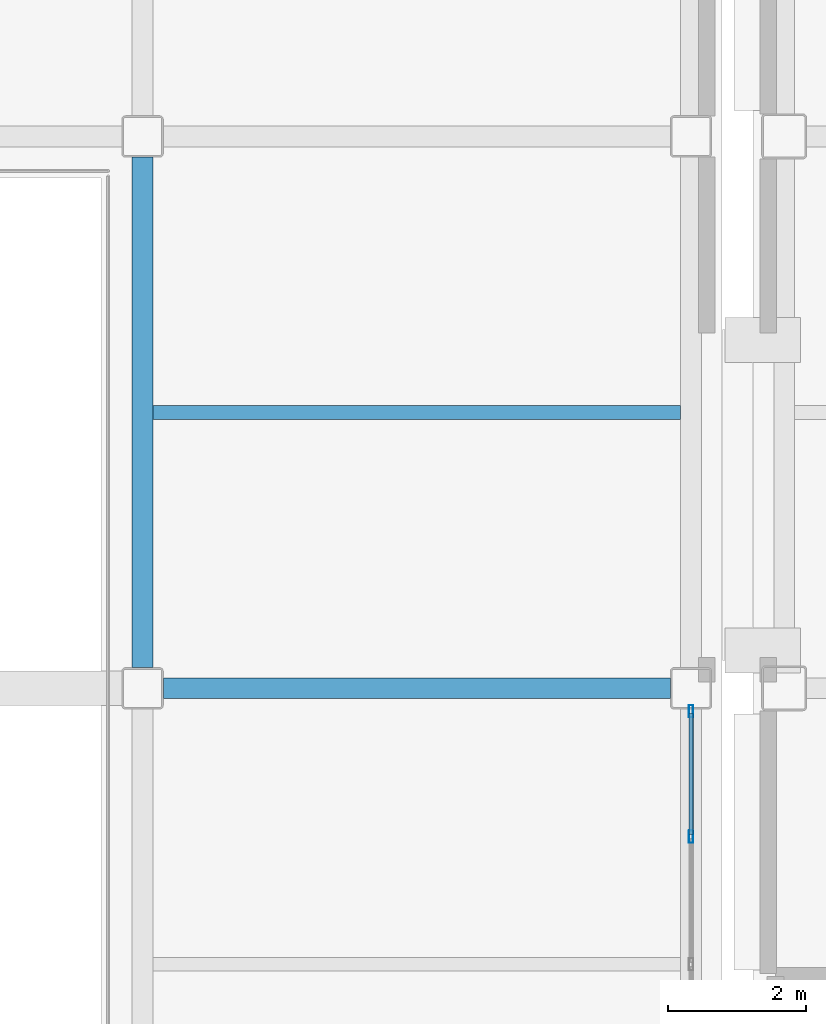
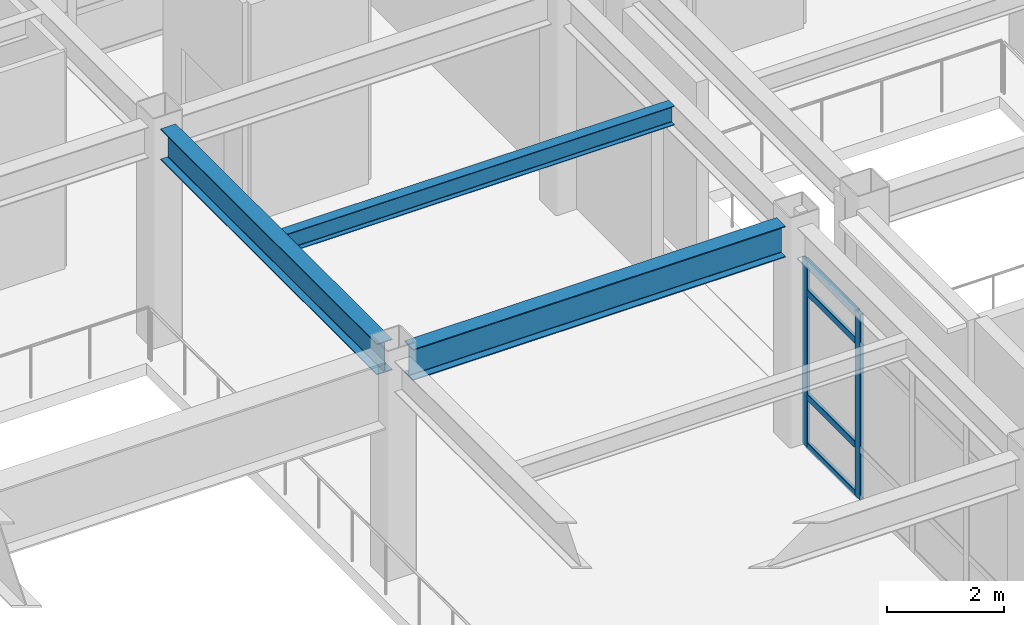
# One storey, part 21 of 172: 6 members, 3 beams, 1 element without a shape of its own.
"""IFC4 building model written with IfcOpenShell, lengths in metres."""

from ifc_helpers import new_model, si_unit, direction, frame, origin, origin_2d, place, context, subcontext, project, spatial, hollow_rectangle, i_section, extrude, material, layer, layer_set, material_profile, profile_set, type_object, element, aggregate, save


model = new_model("IFC4")

# Units and contexts
model_context = context("Model", 3, precision=1e-05, world=origin(), true_north=direction((0.0, 1.0)))
body_context = subcontext(model_context, "Body", "Model", "MODEL_VIEW")
ifc_project = project(units=[si_unit("LENGTHUNIT", "METRE"), si_unit("AREAUNIT", "SQUARE_METRE"), si_unit("VOLUMEUNIT", "CUBIC_METRE"), si_unit("PLANEANGLEUNIT", "RADIAN"), si_unit("MASSUNIT", "GRAM", prefix="KILO")], contexts=[model_context])

# Site, building, storey
site_placement = place(None, origin())
site = spatial("IfcSite", under=ifc_project, at=site_placement, CompositionType="ELEMENT")
building_placement = place(site_placement, origin())
building = spatial("IfcBuilding", under=site, at=building_placement, Name="Kazehara Bluff Congress Hotel", CompositionType="ELEMENT")
storey_placement = place(building_placement, frame((0.0, 0.0, 5.39990234375)))
storey = spatial("IfcBuildingStorey", under=building, at=storey_placement, Name="L01", CompositionType="ELEMENT", Elevation=5.39990234375)

# Curtain wall, members
ifc_material_1 = material(Name="Anodised aluminium", Category="aluminium")
ifc_layer = layer(ifc_material_1, 0.159912109375)
ifc_layer_set = layer_set([ifc_layer], Name="Anodised aluminium")
curtain_wall_type = type_object("IfcCurtainWallType", Name="TP-CW-34", PredefinedType="NOTDEFINED", material=ifc_layer_set)
curtain_wall_placement = place(storey_placement, origin())
curtain_wall = element("IfcCurtainWall", 1, at=curtain_wall_placement, inside=storey, type_object=curtain_wall_type, Name="L01 curtain wall CW-34 CW-V2-L01-X5835-1630", PredefinedType="NOTDEFINED")
ifc_material_2 = material(Name="Anodised aluminium", Category="aluminium")
ifc_material_profile_1 = material_profile(ifc_material_2, hollow_rectangle(XDim=0.06494140625, YDim=0.179931640625, WallThickness=0.00390625, InnerFilletRadius=0.00390625, OuterFilletRadius=0.008056640625, at=origin_2d()))
ifc_profile_set_1 = profile_set([ifc_material_profile_1], Name="Anodised aluminium")
member_type_1 = type_object("IfcMemberType", Name="TP-CWM-02", PredefinedType="MULLION", material=ifc_profile_set_1)
member_1_placement = place(storey_placement, frame((58.35009765625, 21.85009765625, 0.0), z_axis=(0.0, 0.0, 1.0), x_axis=(-1.0, 0.0, 0.0)))
member_1 = element("IfcMember", 2, at=member_1_placement, type_object=member_type_1, Name="CW-34 mullion 4", PredefinedType="MULLION", context=body_context, shape_type="SweptSolid", body=[
    extrude(hollow_rectangle(XDim=0.06494140625, YDim=0.179931640625, WallThickness=0.00390625, InnerFilletRadius=0.00390625, OuterFilletRadius=0.008056640625, at=origin_2d()), origin(), (0.0, 0.0, 1.0), 3.875),
])
member_2_placement = place(storey_placement, frame((58.35009765625, 23.66748046875, 0.0), z_axis=(0.0, 0.0, 1.0), x_axis=(-1.0, 0.0, 0.0)))
member_2 = element("IfcMember", 3, at=member_2_placement, type_object=member_type_1, Name="CW-34 mullion 5", PredefinedType="MULLION", context=body_context, shape_type="SweptSolid", body=[
    extrude(hollow_rectangle(XDim=0.06494140625, YDim=0.179931640625, WallThickness=0.00390625, InnerFilletRadius=0.00390625, OuterFilletRadius=0.008056640625, at=origin_2d()), origin(), (0.0, 0.0, 1.0), 3.875),
])
ifc_material_3 = material(Name="Anodised aluminium", Category="aluminium")
ifc_material_profile_2 = material_profile(ifc_material_3, hollow_rectangle(XDim=0.06494140625, YDim=0.139892578125, WallThickness=0.00390625, InnerFilletRadius=0.00390625, OuterFilletRadius=0.008056640625, at=origin_2d()))
ifc_profile_set_2 = profile_set([ifc_material_profile_2], Name="Anodised aluminium")
member_type_2 = type_object("IfcMemberType", Name="TP-CWT-02", PredefinedType="USERDEFINED", material=ifc_profile_set_2)
member_3_placement = place(storey_placement, frame((58.35009765625, 21.882568359375, 0.03271484375), z_axis=(0.0, 1.0, 0.0), x_axis=(-1.0, 0.0, 0.0)))
member_3 = element("IfcMember", 4, at=member_3_placement, type_object=member_type_2, Name="CW-34 transom 4.1", ObjectType="TRANSOM", PredefinedType="USERDEFINED", context=body_context, shape_type="SweptSolid", body=[
    extrude(hollow_rectangle(XDim=0.06494140625, YDim=0.139892578125, WallThickness=0.00390625, InnerFilletRadius=0.00390625, OuterFilletRadius=0.008056640625, at=origin_2d()), origin(), (0.0, 0.0, 1.0), 1.75244140625),
])
member_4_placement = place(storey_placement, frame((58.35009765625, 21.882568359375, 1.050048828125), z_axis=(0.0, 1.0, 0.0), x_axis=(-1.0, 0.0, 0.0)))
member_4 = element("IfcMember", 5, at=member_4_placement, type_object=member_type_2, Name="CW-34 transom 4.2", ObjectType="TRANSOM", PredefinedType="USERDEFINED", context=body_context, shape_type="SweptSolid", body=[
    extrude(hollow_rectangle(XDim=0.06494140625, YDim=0.139892578125, WallThickness=0.00390625, InnerFilletRadius=0.00390625, OuterFilletRadius=0.008056640625, at=origin_2d()), origin(), (0.0, 0.0, 1.0), 1.75244140625),
])
member_5_placement = place(storey_placement, frame((58.35009765625, 21.882568359375, 3.22509765625), z_axis=(0.0, 1.0, 0.0), x_axis=(-1.0, 0.0, 0.0)))
member_5 = element("IfcMember", 6, at=member_5_placement, type_object=member_type_2, Name="CW-34 transom 4.3", ObjectType="TRANSOM", PredefinedType="USERDEFINED", context=body_context, shape_type="SweptSolid", body=[
    extrude(hollow_rectangle(XDim=0.06494140625, YDim=0.139892578125, WallThickness=0.00390625, InnerFilletRadius=0.00390625, OuterFilletRadius=0.008056640625, at=origin_2d()), origin(), (0.0, 0.0, 1.0), 1.75244140625),
])
member_6_placement = place(storey_placement, frame((58.35009765625, 21.882568359375, 3.842529296875), z_axis=(0.0, 1.0, 0.0), x_axis=(-1.0, 0.0, 0.0)))
member_6 = element("IfcMember", 7, at=member_6_placement, type_object=member_type_2, Name="CW-34 transom 4.4", ObjectType="TRANSOM", PredefinedType="USERDEFINED", context=body_context, shape_type="SweptSolid", body=[
    extrude(hollow_rectangle(XDim=0.06494140625, YDim=0.139892578125, WallThickness=0.00390625, InnerFilletRadius=0.00390625, OuterFilletRadius=0.008056640625, at=origin_2d()), origin(), (0.0, 0.0, 1.0), 1.75244140625),
])
aggregate(curtain_wall, [member_1, member_2, member_3, member_4, member_5, member_6])

# Beams
ifc_material_4 = material(Name="Steel SN490B", Category="steel")
ifc_material_profile_3 = material_profile(ifc_material_4, i_section(OverallWidth=0.300048828125, OverallDepth=0.64990234375, WebThickness=0.011962890625, FlangeThickness=0.02001953125, FilletRadius=0.012939453125, at=origin_2d()))
ifc_profile_set_3 = profile_set([ifc_material_profile_3], Name="Steel SN490B")
beam_type_1 = type_object("IfcBeamType", Name="TP-G-03", PredefinedType="BEAM", material=ifc_profile_set_3)
beam_1_placement = place(storey_placement, frame((50.39990234375, 24.300048828125, 4.22509765625), z_axis=(0.0, 1.0, 0.0), x_axis=(-1.0, 0.0, 0.0)))
element("IfcBeam", 8, at=beam_1_placement, inside=storey, type_object=beam_type_1, Name="L01 girder G-03 63", PredefinedType="BEAM", context=body_context, shape_type="SweptSolid", body=[
    extrude(i_section(OverallWidth=0.300048828125, OverallDepth=0.64990234375, WebThickness=0.011962890625, FlangeThickness=0.02001953125, FilletRadius=0.012939453125, at=origin_2d()), origin(), (0.0, 0.0, 1.0), 7.39990234375),
])
beam_2_placement = place(storey_placement, frame((50.699951171875, 24.0, 4.22509765625), z_axis=(1.0, 0.0, 0.0), x_axis=(0.0, 1.0, 0.0)))
element("IfcBeam", 9, at=beam_2_placement, inside=storey, type_object=beam_type_1, Name="L01 girder G-03 87", PredefinedType="BEAM", context=body_context, shape_type="SweptSolid", body=[
    extrude(i_section(OverallWidth=0.300048828125, OverallDepth=0.64990234375, WebThickness=0.011962890625, FlangeThickness=0.02001953125, FilletRadius=0.012939453125, at=origin_2d()), origin(), (0.0, 0.0, 1.0), 7.35009765625),
])
ifc_material_5 = material(Name="Steel SN400B", Category="steel")
ifc_material_profile_4 = material_profile(ifc_material_5, i_section(OverallWidth=0.199951171875, OverallDepth=0.39990234375, WebThickness=0.008056640625, FlangeThickness=0.012939453125, FilletRadius=0.012939453125, at=origin_2d()))
ifc_profile_set_4 = profile_set([ifc_material_profile_4], Name="Steel SN400B")
beam_type_2 = type_object("IfcBeamType", Name="TP-J-03", PredefinedType="JOIST", material=ifc_profile_set_4)
beam_3_placement = place(storey_placement, frame((50.550048828125, 28.0, 4.35009765625), z_axis=(1.0, 0.0, 0.0), x_axis=(0.0, 1.0, 0.0)))
element("IfcBeam", 10, at=beam_3_placement, inside=storey, type_object=beam_type_2, Name="L01 secondary joist J-03 13", PredefinedType="JOIST", context=body_context, shape_type="SweptSolid", body=[
    extrude(i_section(OverallWidth=0.199951171875, OverallDepth=0.39990234375, WebThickness=0.008056640625, FlangeThickness=0.012939453125, FilletRadius=0.012939453125, at=origin_2d()), origin(), (0.0, 0.0, 1.0), 7.64990234375),
])

save(model, "model.ifc")
